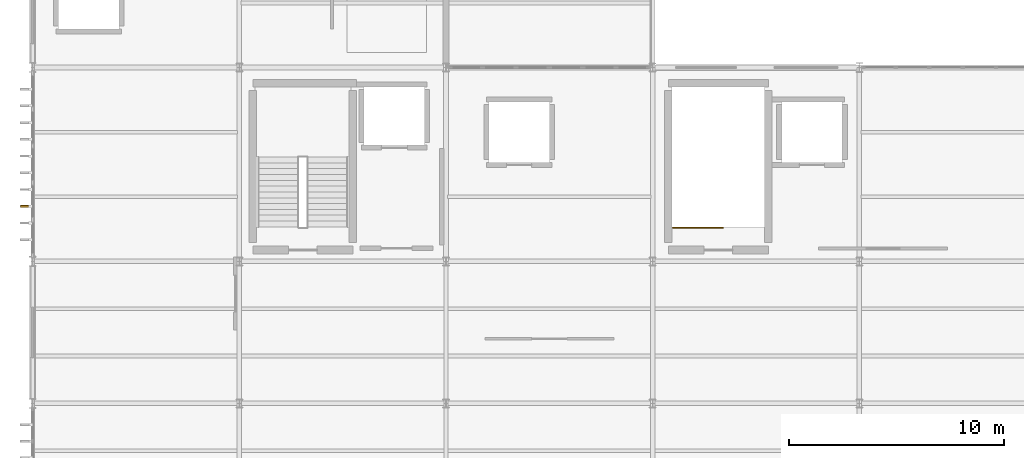
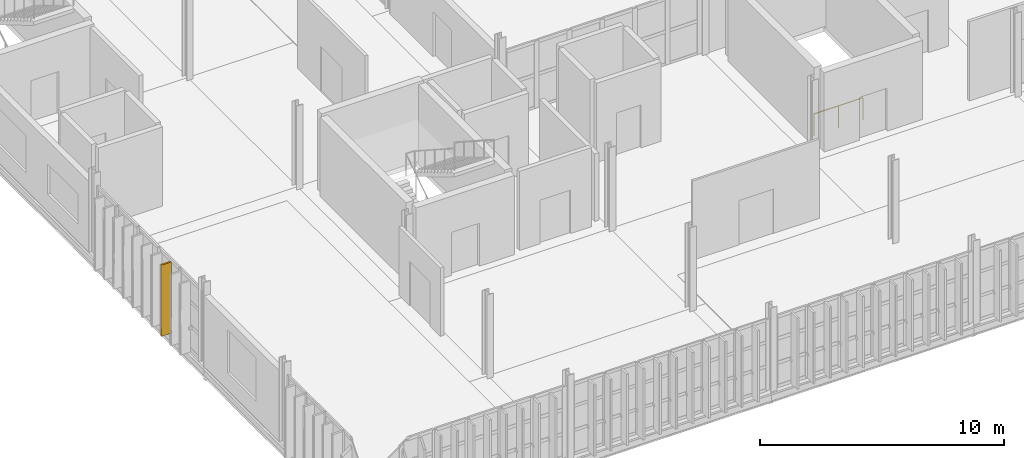
# One storey, part 30 of 38: 1 railing, 1 shading device.
"""IFC4 building model written with IfcOpenShell, lengths in metres."""

from ifc_helpers import new_model, si_unit, direction, frame, origin, origin_2d, place, context, subcontext, project, spatial, rectangle, circle, extrude, material, type_object, element, save


model = new_model("IFC4")

# Units and contexts
model_context = context("Model", 3, precision=1e-05, world=origin(), true_north=direction((0.0, 1.0)))
body_context = subcontext(model_context, "Body", "Model", "MODEL_VIEW")
ifc_project = project(units=[si_unit("LENGTHUNIT", "METRE"), si_unit("AREAUNIT", "SQUARE_METRE"), si_unit("VOLUMEUNIT", "CUBIC_METRE"), si_unit("PLANEANGLEUNIT", "RADIAN"), si_unit("MASSUNIT", "GRAM", prefix="KILO")], contexts=[model_context])

# Site, building, storey
site_placement = place(None, origin())
site = spatial("IfcSite", under=ifc_project, at=site_placement, CompositionType="ELEMENT")
building_placement = place(site_placement, origin())
building = spatial("IfcBuilding", under=site, at=building_placement, Name="Zarnetskaya Central Station", CompositionType="ELEMENT")
storey_placement = place(building_placement, frame((0.0, 0.0, 18.60009765625)))
storey = spatial("IfcBuildingStorey", under=building, at=storey_placement, Name="L04", CompositionType="ELEMENT", Elevation=18.60009765625)

# Railing
ifc_material_1 = material(Name="Steel S355", Category="steel")
railing_type = type_object("IfcRailingType", Name="RAIL-STAIR-GRD", PredefinedType="BALUSTRADE", material=ifc_material_1)
railing_placement = place(storey_placement, frame((29.739990234375, 14.760009765625, 0.0)))
element("IfcRailing", 1, at=railing_placement, inside=storey, type_object=railing_type, Name="Stair ST-C3 L04 floor well guard", PredefinedType="BALUSTRADE", context=body_context, shape_type="SweptSolid", body=[
    extrude(circle(Radius=0.02392578125, at=origin_2d()), frame((0.0, 0.0, 1.09619140625), z_axis=(1.0, 0.0, 0.0), x_axis=(0.0, 1.0, 0.0)), (0.0, 0.0, 1.0), 2.320068359375),
    extrude(circle(Radius=0.02099609375, at=origin_2d()), origin(), (0.0, 0.0, 1.0), 1.072021484375),
    extrude(circle(Radius=0.02099609375, at=origin_2d()), frame((1.16015625, 0.0, 0.0)), (0.0, 0.0, 1.0), 1.072021484375),
    extrude(circle(Radius=0.02099609375, at=origin_2d()), frame((2.320068359375, 0.0, 0.0)), (0.0, 0.0, 1.0), 1.072021484375),
])

# Shading device
ifc_material_2 = material(Name="Larch glulam GL28h", Category="wood")
shading_device_type = type_object("IfcShadingDeviceType", Name="SHD-LARCH-FIN-B", PredefinedType="USERDEFINED", material=ifc_material_2)
shading_device_placement = place(storey_placement, frame((-0.340087890625, 15.7568359375, -0.000244140625), z_axis=(0.0, 0.0, 1.0), x_axis=(0.0, 1.0, 0.0)))
element("IfcShadingDevice", 2, at=shading_device_placement, inside=storey, type_object=shading_device_type, Name="Vertical larch timber fin CW-L04-048-03", ObjectType="TIMBER FIN", PredefinedType="USERDEFINED", context=body_context, shape_type="SweptSolid", body=[
    extrude(rectangle(XDim=0.0849609375, YDim=0.4599609375, at=origin_2d()), origin(), (0.0, 0.0, 1.0), 3.56005859375),
])

save(model, "model.ifc")
